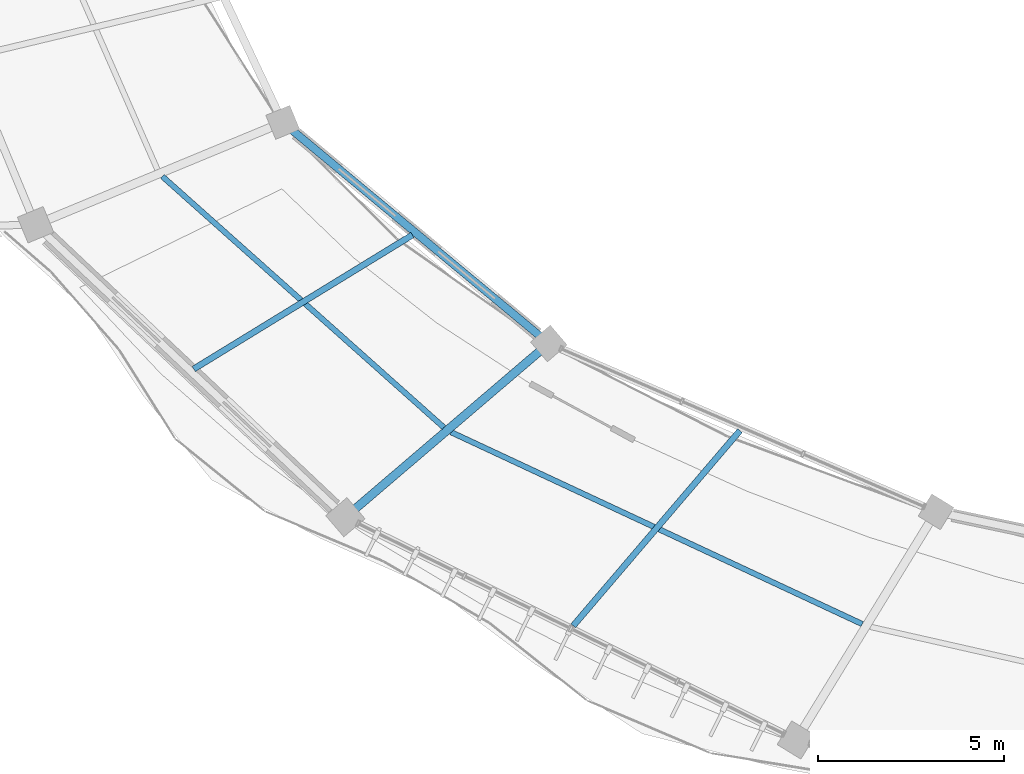
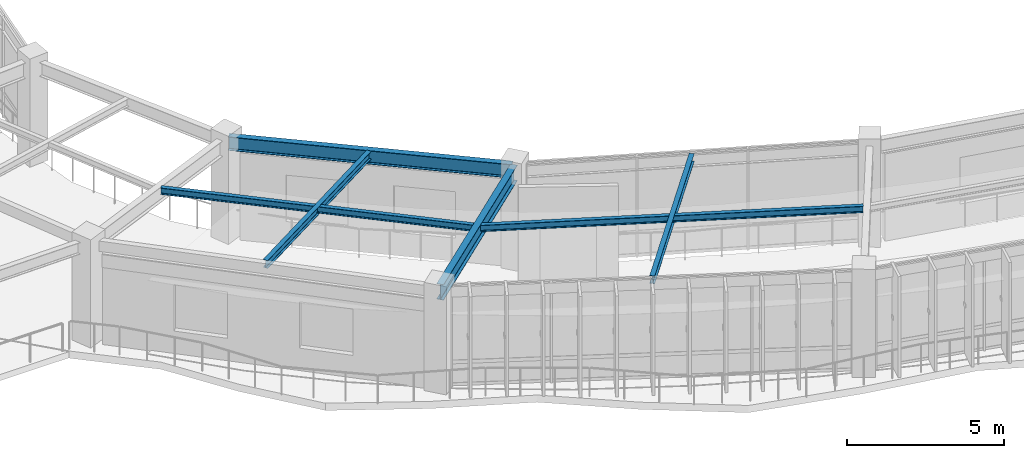
# One storey, part 49 of 152: 6 beams.
"""IFC4 building model written with IfcOpenShell, lengths in metres."""

from ifc_helpers import new_model, si_unit, direction, frame, origin, origin_2d, place, context, subcontext, project, spatial, i_section, extrude, material, material_profile, profile_set, type_object, element, save


model = new_model("IFC4")

# Units and contexts
model_context = context("Model", 3, precision=1e-05, world=origin(), true_north=direction((0.0, 1.0)))
body_context = subcontext(model_context, "Body", "Model", "MODEL_VIEW")
ifc_project = project(units=[si_unit("LENGTHUNIT", "METRE"), si_unit("AREAUNIT", "SQUARE_METRE"), si_unit("VOLUMEUNIT", "CUBIC_METRE"), si_unit("PLANEANGLEUNIT", "RADIAN"), si_unit("MASSUNIT", "GRAM", prefix="KILO"), si_unit("THERMODYNAMICTEMPERATUREUNIT", "KELVIN"), si_unit("POWERUNIT", "WATT")], contexts=[model_context])

# Site, building, storey
site_placement = place(None, origin())
site = spatial("IfcSite", under=ifc_project, at=site_placement, CompositionType="ELEMENT")
building_placement = place(site_placement, origin())
building = spatial("IfcBuilding", under=site, at=building_placement, Name="Darbajah Civic Hall", CompositionType="ELEMENT")
storey_placement = place(building_placement, frame((0.0, 0.0, 5.39990234375)))
storey = spatial("IfcBuildingStorey", under=building, at=storey_placement, Name="L01", CompositionType="ELEMENT", Elevation=5.39990234375)

# Beams
ifc_material = material(Name="Steel S355JR", Category="steel")
ifc_material_profile_1 = material_profile(ifc_material, i_section(OverallWidth=0.146484375, OverallDepth=0.256103515625, WebThickness=0.00634765625, FlangeThickness=0.010986328125, FilletRadius=0.007568359375, at=origin_2d()), Name="UB 254x146x37")
ifc_profile_set_1 = profile_set([ifc_material_profile_1], Name="Steel S355JR")
beam_type_1 = type_object("IfcBeamType", Name="UB 254x146x37", PredefinedType="JOIST", material=ifc_profile_set_1)
beam_1_placement = place(storey_placement, frame((45.394775390625, 79.811279296875, 3.7919921875), z_axis=(0.74637325764, -0.665527580405, 0.0), x_axis=(0.665527580405, 0.74637325764, 0.0)))
element("IfcBeam", 1, at=beam_1_placement, inside=storey, type_object=beam_type_1, Name="L01 beam SJ-254", PredefinedType="JOIST", context=body_context, shape_type="SweptSolid", body=[
    extrude(i_section(OverallWidth=0.146484375, OverallDepth=0.256103515625, WebThickness=0.00634765625, FlangeThickness=0.010986328125, FilletRadius=0.007568359375, at=origin_2d()), origin(), (0.0, 0.0, 1.0), 10.149658203125),
])
beam_2_placement = place(storey_placement, frame((53.161865234375, 72.93017578125, 3.7919921875), z_axis=(0.9061795649, -0.422893126164, 0.0), x_axis=(0.422893126164, 0.9061795649, 0.0)))
element("IfcBeam", 2, at=beam_2_placement, inside=storey, type_object=beam_type_1, Name="L01 beam SJ-254", PredefinedType="JOIST", context=body_context, shape_type="SweptSolid", body=[
    extrude(i_section(OverallWidth=0.146484375, OverallDepth=0.256103515625, WebThickness=0.00634765625, FlangeThickness=0.010986328125, FilletRadius=0.007568359375, at=origin_2d()), origin(), (0.0, 0.0, 1.0), 12.21240234375),
])
ifc_material_profile_2 = material_profile(ifc_material, i_section(OverallWidth=0.165771484375, OverallDepth=0.306640625, WebThickness=0.006591796875, FlangeThickness=0.01171875, FilletRadius=0.0087890625, at=origin_2d()), Name="UB 305x165x46")
ifc_profile_set_2 = profile_set([ifc_material_profile_2], Name="Steel S355JR")
beam_type_2 = type_object("IfcBeamType", Name="UB 305x165x46", PredefinedType="JOIST", material=ifc_profile_set_2)
beam_3_placement = place(storey_placement, frame((52.123779296875, 78.236328125, 3.766845703125), z_axis=(-0.852640388105, -0.522498199588, 0.0), x_axis=(0.522498199588, -0.852640388105, 0.0)))
element("IfcBeam", 3, at=beam_3_placement, inside=storey, type_object=beam_type_2, Name="L01 beam SJ-305", PredefinedType="JOIST", context=body_context, shape_type="SweptSolid", body=[
    extrude(i_section(OverallWidth=0.165771484375, OverallDepth=0.306640625, WebThickness=0.006591796875, FlangeThickness=0.01171875, FilletRadius=0.0087890625, at=origin_2d()), origin(), (0.0, 0.0, 1.0), 6.9033203125),
])
beam_4_placement = place(storey_placement, frame((60.935546875, 72.97119140625, 3.766845703125), z_axis=(-0.649438991654, -0.760413700639, 0.0), x_axis=(0.760413700639, -0.649438991654, 0.0)))
element("IfcBeam", 4, at=beam_4_placement, inside=storey, type_object=beam_type_2, Name="L01 beam SJ-305", PredefinedType="JOIST", context=body_context, shape_type="SweptSolid", body=[
    extrude(i_section(OverallWidth=0.165771484375, OverallDepth=0.306640625, WebThickness=0.006591796875, FlangeThickness=0.01171875, FilletRadius=0.0087890625, at=origin_2d()), origin(), (0.0, 0.0, 1.0), 6.903564453125),
])
ifc_material_profile_3 = material_profile(ifc_material, i_section(OverallWidth=0.209228515625, OverallDepth=0.533203125, WebThickness=0.010009765625, FlangeThickness=0.015625, FilletRadius=0.0126953125, at=origin_2d()), Name="UB 533x210x92")
ifc_profile_set_3 = profile_set([ifc_material_profile_3], Name="Steel S355JR")
beam_type_3 = type_object("IfcBeamType", Name="UB 533x210x92", PredefinedType="BEAM", material=ifc_profile_set_3)
beam_5_placement = place(storey_placement, frame((48.695556640625, 81.215087890625, 3.653564453125), z_axis=(0.769165350471, -0.63904981311, 0.0), x_axis=(0.63904981311, 0.769165350471, 0.0)))
element("IfcBeam", 5, at=beam_5_placement, inside=storey, type_object=beam_type_3, Name="L01 beam SB-533", PredefinedType="BEAM", context=body_context, shape_type="SweptSolid", body=[
    extrude(i_section(OverallWidth=0.209228515625, OverallDepth=0.533203125, WebThickness=0.010009765625, FlangeThickness=0.015625, FilletRadius=0.0126953125, at=origin_2d()), origin(), (0.0, 0.0, 1.0), 9.14892578125),
])
ifc_material_profile_4 = material_profile(ifc_material, i_section(OverallWidth=0.228271484375, OverallDepth=0.607666015625, WebThickness=0.010986328125, FlangeThickness=0.017333984375, FilletRadius=0.0126953125, at=origin_2d()), Name="UB 610x229x113")
ifc_profile_set_4 = profile_set([ifc_material_profile_4], Name="Steel S355JR")
beam_type_4 = type_object("IfcBeamType", Name="UB 610x229x113", PredefinedType="BEAM", material=ifc_profile_set_4)
beam_6_placement = place(storey_placement, frame((55.7333984375, 75.265380859375, 3.6162109375), z_axis=(-0.760413281686, -0.649439482197, 0.0), x_axis=(0.649439482197, -0.760413281686, 0.0)))
element("IfcBeam", 6, at=beam_6_placement, inside=storey, type_object=beam_type_4, Name="L01 beam SB-610", PredefinedType="BEAM", context=body_context, shape_type="SweptSolid", body=[
    extrude(i_section(OverallWidth=0.228271484375, OverallDepth=0.607666015625, WebThickness=0.010986328125, FlangeThickness=0.017333984375, FilletRadius=0.0126953125, at=origin_2d()), origin(), (0.0, 0.0, 1.0), 7.0400390625),
])

save(model, "model.ifc")
